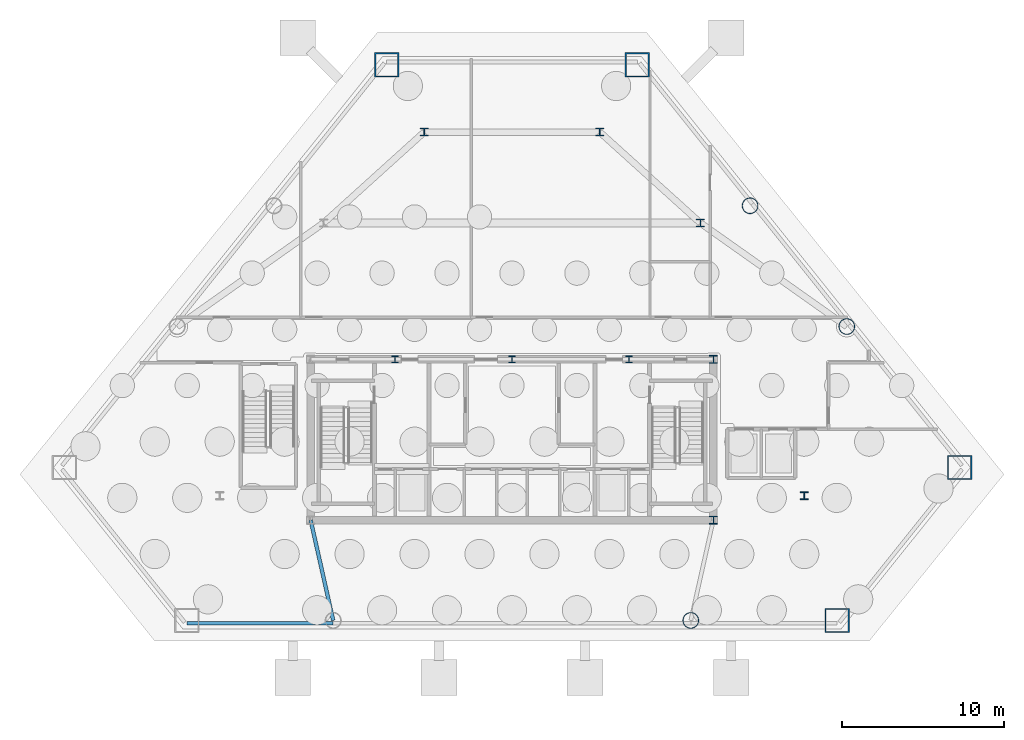
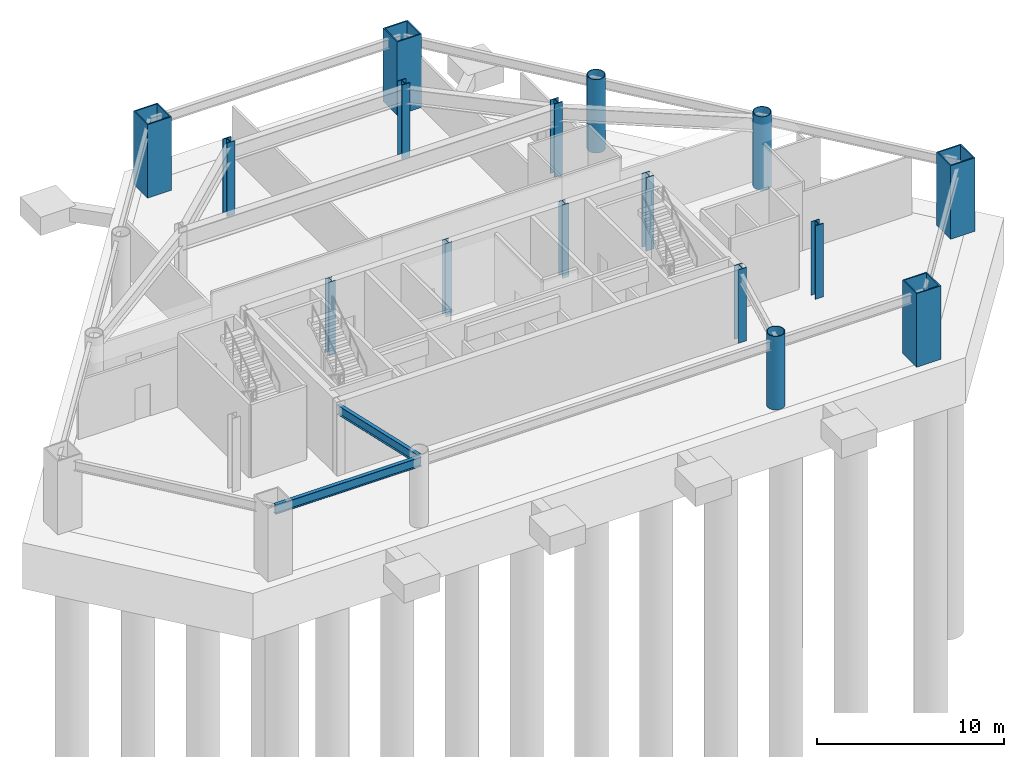
# One storey, part 2 of 8: 16 columns, 2 beams.
"""IFC4 building model written with IfcOpenShell, lengths in metres."""

from ifc_helpers import new_model, si_unit, direction, frame, origin, origin_2d, place, context, subcontext, project, spatial, hollow_rectangle, hollow_circle, i_section, extrude, material, material_profile, profile_set, type_object, element, save


model = new_model("IFC4")

# Units and contexts
model_context = context("Model", 3, precision=1e-05, world=origin(), true_north=direction((0.0, 1.0)))
body_context = subcontext(model_context, "Body", "Model", "MODEL_VIEW")
ifc_project = project(units=[si_unit("LENGTHUNIT", "METRE"), si_unit("AREAUNIT", "SQUARE_METRE"), si_unit("VOLUMEUNIT", "CUBIC_METRE"), si_unit("PLANEANGLEUNIT", "RADIAN"), si_unit("MASSUNIT", "GRAM", prefix="KILO")], contexts=[model_context])

# Site, building, storey
site_placement = place(None, origin())
site = spatial("IfcSite", under=ifc_project, at=site_placement, CompositionType="ELEMENT")
building_placement = place(site_placement, origin())
building = spatial("IfcBuilding", under=site, at=building_placement, Name="Talgorran Terracotta Tower", CompositionType="ELEMENT")
storey_placement = place(building_placement, frame((0.0, 0.0, -4.800048828125)))
storey = spatial("IfcBuildingStorey", under=building, at=storey_placement, Name="B1", CompositionType="ELEMENT", Elevation=-4.800048828125)

# Columns
ifc_material_1 = material(Name="Steel S355 (300PLUS)", Category="steel")
ifc_material_profile_1 = material_profile(ifc_material_1, i_section(OverallWidth=0.5, OverallDepth=0.48193359375, WebThickness=0.0400390625, FlangeThickness=0.044921875, at=origin_2d()), Name="500WC440")
ifc_profile_set_1 = profile_set([ifc_material_profile_1], Name="Steel S355 (300PLUS)")
column_type_1 = type_object("IfcColumnType", Name="COL_500WC440", PredefinedType="COLUMN", material=ifc_profile_set_1)
for number, where, z_axis, x_axis, name in (
    (1, (12.39990234375, -14.10009765625, 0.0), (0.0, 0.0, 1.0), (1.0, 0.0, 0.0), "B1 Core Boundary Column CC2"),
    (2, (12.39990234375, -4.199951171875, 0.0), (0.0, 0.0, 1.0), (1.0, 0.0, 0.0), "B1 Core Boundary Column CC3"),
    (3, (18.0, -12.60009765625, 0.0), (0.0, 0.0, 1.0), (1.0, 0.0, 0.0), "B1 Podium Column PC2"),
    (4, (11.60009765625, 4.199951171875, 0.0), (0.0, 0.0, 1.0), (1.0, 0.0, 0.0), "B1 Podium Column PC4"),
    (5, (-5.39990234375, 9.800048828125, 0.0), (0.0, 0.0, 1.0), (1.0, 0.0, 0.0), "B1 Podium Column PC5"),
    (6, (5.39990234375, 9.800048828125, 0.0), (0.0, 0.0, 1.0), (1.0, 0.0, 0.0), "B1 Podium Column PC6"),
):
    element("IfcColumn", number, at=place(storey_placement, frame(where, z_axis=z_axis, x_axis=x_axis)), inside=storey, type_object=column_type_1, Name=name, PredefinedType="COLUMN", context=body_context, shape_type="SweptSolid", body=[
        extrude(i_section(OverallWidth=0.5, OverallDepth=0.48193359375, WebThickness=0.0400390625, FlangeThickness=0.044921875, at=origin_2d()), origin(), (0.0, 0.0, 1.0), 4.800048828125),
    ])
ifc_material_2 = material(Name="Steel Grade 350 (350L0)", Category="steel")
ifc_material_profile_2 = material_profile(ifc_material_2, hollow_rectangle(XDim=1.5, YDim=1.5, WallThickness=0.074951171875, at=origin_2d()), Name="CFT1500X1500X75")
ifc_profile_set_2 = profile_set([ifc_material_profile_2], Name="Steel Grade 350 (350L0)")
column_type_2 = type_object("IfcColumnType", Name="COL_CFT_1500", PredefinedType="COLUMN", material=ifc_profile_set_2)
for number, where, z_axis, x_axis, name in (
    (7, (20.022216796875, -20.280029296875, 0.0), (0.0, 0.0, 1.0), (1.0, 0.0, 0.0), "B1 Corner CFT Mega-Column MC3"),
    (8, (27.56982421875, -10.85595703125, 0.0), (0.0, 0.0, 1.0), (1.0, 0.0, 0.0), "B1 Corner CFT Mega-Column MC4"),
    (9, (7.714111328125, 13.93603515625, 0.0), (0.0, 0.0, 1.0), (1.0, 0.0, 0.0), "B1 Corner CFT Mega-Column MC5"),
    (10, (-7.714111328125, 13.93603515625, 0.0), (0.0, 0.0, 1.0), (1.0, 0.0, 0.0), "B1 Corner CFT Mega-Column MC6"),
):
    element("IfcColumn", number, at=place(storey_placement, frame(where, z_axis=z_axis, x_axis=x_axis)), inside=storey, type_object=column_type_2, Name=name, PredefinedType="COLUMN", context=body_context, shape_type="SweptSolid", body=[
        extrude(hollow_rectangle(XDim=1.5, YDim=1.5, WallThickness=0.074951171875, at=origin_2d()), origin(), (0.0, 0.0, 1.0), 4.800048828125),
    ])
ifc_material_profile_3 = material_profile(ifc_material_2, hollow_circle(Radius=0.5, WallThickness=0.044921875, at=origin_2d()), Name="CHS1000X45")
ifc_profile_set_3 = profile_set([ifc_material_profile_3], Name="Steel Grade 350 (350L0)")
column_type_3 = type_object("IfcColumnType", Name="COL_CHS_1000", PredefinedType="COLUMN", material=ifc_profile_set_3)
for number, where, z_axis, x_axis, name in (
    (11, (11.01220703125, -20.280029296875, 0.0), (0.0, 0.0, 1.0), (1.0, 0.0, 0.0), "B1 Facet Perimeter Column FC2"),
    (12, (20.620361328125, -2.1787109375, 0.0), (0.0, 0.0, 1.0), (1.0, 0.0, 0.0), "B1 Facet Perimeter Column FC3"),
    (13, (14.663818359375, 5.2587890625, 0.0), (0.0, 0.0, 1.0), (1.0, 0.0, 0.0), "B1 Facet Perimeter Column FC4"),
):
    element("IfcColumn", number, at=place(storey_placement, frame(where, z_axis=z_axis, x_axis=x_axis)), inside=storey, type_object=column_type_3, Name=name, PredefinedType="COLUMN", context=body_context, shape_type="SweptSolid", body=[
        extrude(hollow_circle(Radius=0.5, WallThickness=0.044921875, at=origin_2d()), origin(), (0.0, 0.0, 1.0), 4.800048828125),
    ])
ifc_material_profile_4 = material_profile(ifc_material_1, i_section(OverallWidth=0.405029296875, OverallDepth=0.4140625, WebThickness=0.02197265625, FlangeThickness=0.031982421875, at=origin_2d()), Name="400WC270")
ifc_profile_set_4 = profile_set([ifc_material_profile_4], Name="Steel S355 (300PLUS)")
column_type_4 = type_object("IfcColumnType", Name="COL_PIL_400WC270", PredefinedType="PILASTER", material=ifc_profile_set_4)
for number, where, z_axis, x_axis, name in (
    (14, (-7.199951171875, -4.199951171875, 0.0), (0.0, 0.0, 1.0), (1.0, 0.0, 0.0), "B1 Core Shear Pilaster CP1"),
    (15, (0.0, -4.199951171875, 0.0), (0.0, 0.0, 1.0), (1.0, 0.0, 0.0), "B1 Core Shear Pilaster CP2"),
    (16, (7.199951171875, -4.199951171875, 0.0), (0.0, 0.0, 1.0), (1.0, 0.0, 0.0), "B1 Core Shear Pilaster CP3"),
):
    element("IfcColumn", number, at=place(storey_placement, frame(where, z_axis=z_axis, x_axis=x_axis)), inside=storey, type_object=column_type_4, Name=name, PredefinedType="PILASTER", context=body_context, shape_type="SweptSolid", body=[
        extrude(i_section(OverallWidth=0.405029296875, OverallDepth=0.4140625, WebThickness=0.02197265625, FlangeThickness=0.031982421875, at=origin_2d()), origin(), (0.0, 0.0, 1.0), 4.800048828125),
    ])

# Beams
ifc_material_profile_5 = material_profile(ifc_material_1, i_section(OverallWidth=0.22900390625, OverallDepth=0.611572265625, WebThickness=0.011962890625, FlangeThickness=0.01953125, at=origin_2d()), Name="610UB125")
ifc_profile_set_5 = profile_set([ifc_material_profile_5], Name="Steel S355 (300PLUS)")
beam_type = type_object("IfcBeamType", Name="BM_SP_610UB125", PredefinedType="SPANDREL", material=ifc_profile_set_5)
beam_1_placement = place(storey_placement, frame((-20.022216796875, -20.4599609375, 4.17431640625), z_axis=(1.0, 0.0, 0.0), x_axis=(0.0, 1.0, 0.0)))
element("IfcBeam", 17, at=beam_1_placement, inside=storey, type_object=beam_type, Name="B1 Perimeter Spandrel Beam MC2-FC1", PredefinedType="SPANDREL", context=body_context, shape_type="SweptSolid", body=[
    extrude(i_section(OverallWidth=0.22900390625, OverallDepth=0.611572265625, WebThickness=0.011962890625, FlangeThickness=0.01953125, at=origin_2d()), origin(), (0.0, 0.0, 1.0), 9.010009765625),
])
beam_2_placement = place(storey_placement, frame((-11.01220703125, -20.280029296875, 4.17431640625), z_axis=(-0.219093011867, 0.975703977726, 0.0), x_axis=(-0.975703977726, -0.219093011867, 0.0)))
element("IfcBeam", 18, at=beam_2_placement, inside=storey, type_object=beam_type, Name="B1 South-West Core Tie Beam", PredefinedType="SPANDREL", context=body_context, shape_type="SweptSolid", body=[
    extrude(i_section(OverallWidth=0.22900390625, OverallDepth=0.611572265625, WebThickness=0.011962890625, FlangeThickness=0.01953125, at=origin_2d()), origin(), (0.0, 0.0, 1.0), 6.333740234375),
])

save(model, "model.ifc")
